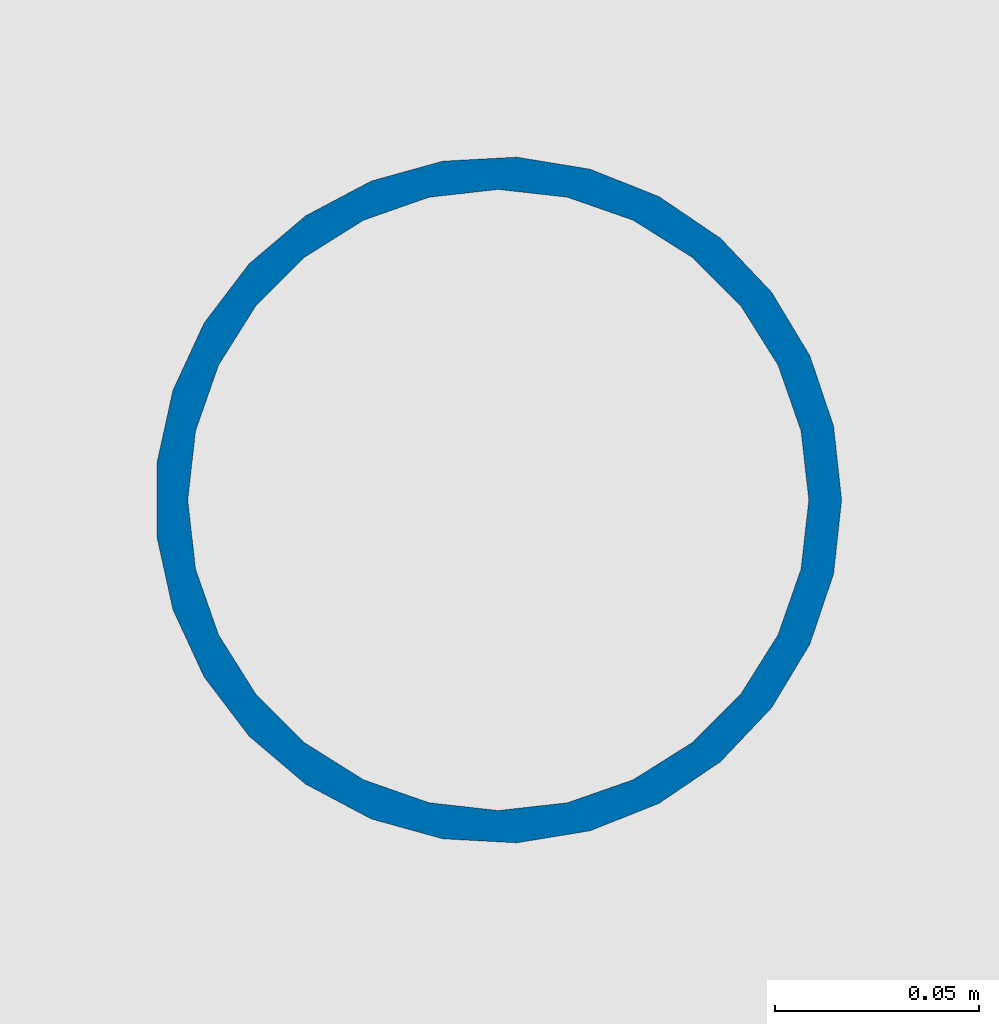
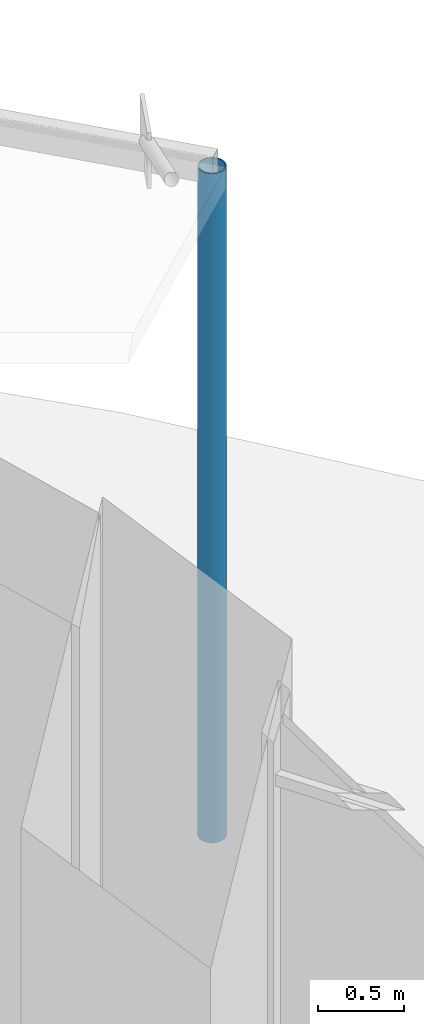
# One storey, part 17 of 60: 1 column.
"""IFC4 building model written with IfcOpenShell, lengths in metres."""

from ifc_helpers import new_model, si_unit, direction, frame, origin, origin_2d, place, context, subcontext, project, spatial, hollow_circle, extrude, material, material_profile, profile_set, type_object, element, save


model = new_model("IFC4")

# Units and contexts
model_context = context("Model", 3, precision=1e-05, world=origin(), true_north=direction((0.0, 1.0)))
body_context = subcontext(model_context, "Body", "Model", "MODEL_VIEW")
ifc_project = project(units=[si_unit("LENGTHUNIT", "METRE"), si_unit("AREAUNIT", "SQUARE_METRE"), si_unit("VOLUMEUNIT", "CUBIC_METRE"), si_unit("PLANEANGLEUNIT", "RADIAN"), si_unit("MASSUNIT", "GRAM", prefix="KILO")], contexts=[model_context])

# Site, building, storey
site_placement = place(None, origin())
site = spatial("IfcSite", under=ifc_project, at=site_placement, CompositionType="ELEMENT")
building_placement = place(site_placement, origin())
building = spatial("IfcBuilding", under=site, at=building_placement, Name="Taillehof Tower", CompositionType="ELEMENT")
storey_placement = place(building_placement, origin())
storey = spatial("IfcBuildingStorey", under=building, at=storey_placement, Name="L00", CompositionType="ELEMENT", Elevation=0.0)

# Column
ifc_material = material(Name="Steel S460M", Category="steel")
ifc_material_profile = material_profile(ifc_material, hollow_circle(Radius=0.084228515625, WallThickness=0.008056640625, at=origin_2d()), Name="CHS 168.3x8")
ifc_profile_set = profile_set([ifc_material_profile], Name="Steel S460M")
column_type = type_object("IfcColumnType", Name="Canopy post CHS 168.3x8", PredefinedType="COLUMN", material=ifc_profile_set)
column_placement = place(storey_placement, frame((39.413330078125, 19.220458984375, -0.199951171875), z_axis=(0.0, 0.0, 1.0), x_axis=(1.0, 0.0, 0.0)))
element("IfcColumn", 1, at=column_placement, inside=storey, type_object=column_type, Name="Canopy post E14", PredefinedType="COLUMN", context=body_context, shape_type="SweptSolid", body=[
    extrude(hollow_circle(Radius=0.084228515625, WallThickness=0.008056640625, at=origin_2d()), origin(), (0.0, 0.0, 1.0), 4.7548828125),
])

save(model, "model.ifc")
